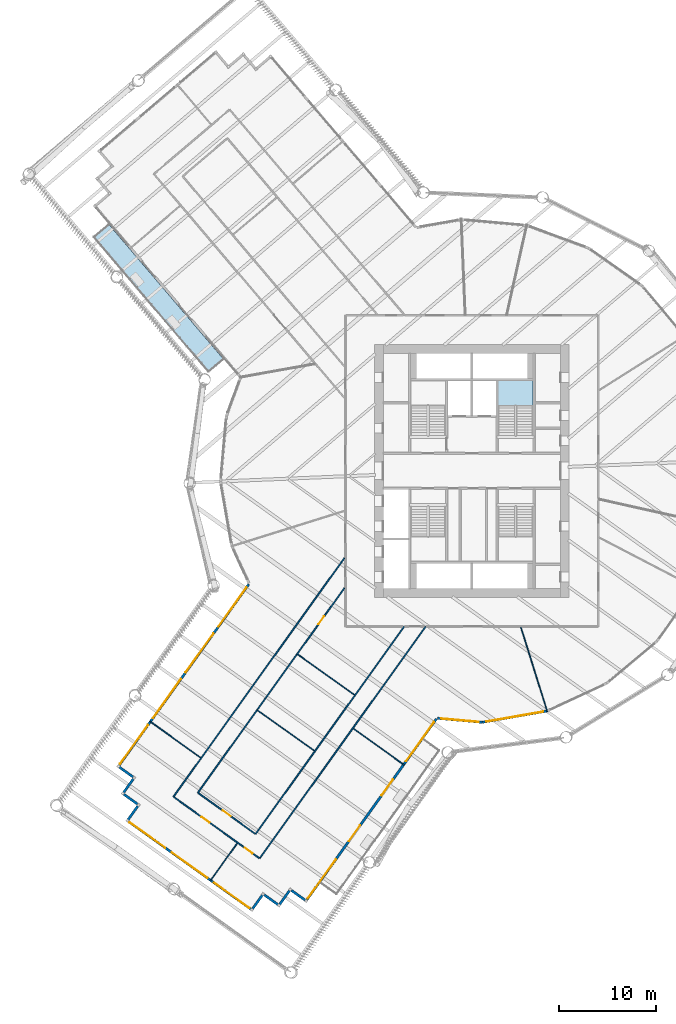
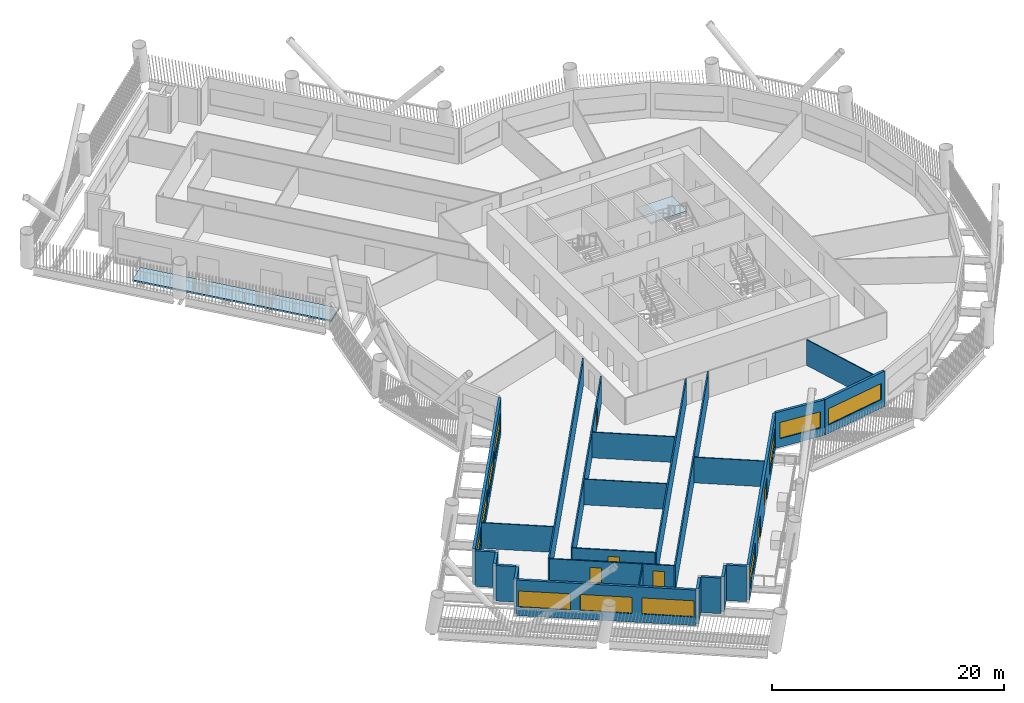
# One storey, part 3 of 21: 25 walls, 11 windows, 6 doors, 2 slabs, 17 openings, 1 element without a shape of its own.
"""IFC4 building model written with IfcOpenShell, lengths in metres."""

from ifc_helpers import new_model, si_unit, direction, frame, frame_2d, origin, place, context, subcontext, project, spatial, polyline, rectangle, outline, extrude, material, layer, layer_set, type_object, element, fill, aggregate, save


model = new_model("IFC4")

# Units and contexts
model_context = context("Model", 3, precision=1e-05, world=origin(), true_north=direction((0.0, 1.0)))
body_context = subcontext(model_context, "Body", "Model", "MODEL_VIEW")
ifc_project = project(units=[si_unit("LENGTHUNIT", "METRE"), si_unit("AREAUNIT", "SQUARE_METRE"), si_unit("VOLUMEUNIT", "CUBIC_METRE"), si_unit("PLANEANGLEUNIT", "RADIAN"), si_unit("MASSUNIT", "GRAM", prefix="KILO")], contexts=[model_context])

# Site, building, storey
site_placement = place(None, origin())
site = spatial("IfcSite", under=ifc_project, at=site_placement, CompositionType="ELEMENT")
building_placement = place(site_placement, origin())
building = spatial("IfcBuilding", under=site, at=building_placement, Name="Tarsis Ring Headquarters", CompositionType="ELEMENT")
storey_placement = place(building_placement, frame((0.0, 0.0, 47.800048828125)))
storey = spatial("IfcBuildingStorey", under=building, at=storey_placement, Name="L09", CompositionType="ELEMENT", Elevation=47.800048828125)

# Slab
ifc_material_1 = material(Name="Concrete C40/50", Category="concrete")
ifc_layer_1 = layer(ifc_material_1, 0.159912109375)
ifc_layer_set_1 = layer_set([ifc_layer_1], Name="Balcony slab concrete C40/50")
slab_type_1 = type_object("IfcSlabType", Name="Balcony slab concrete C40/50", PredefinedType="FLOOR", material=ifc_layer_set_1)
slab_1_placement = place(storey_placement, frame((0.0, 0.0, -0.16015625)))
element("IfcSlab", 1, at=slab_1_placement, inside=storey, type_object=slab_type_1, Name="Balcony slab L09-01", PredefinedType="FLOOR", context=body_context, shape_type="SweptSolid", body=[
    extrude(outline(polyline([(-37.331787109375, 25.349365234375), (-38.854736328125, 24.05322265625), (-27.0771484375, 10.214599609375), (-25.553955078125, 11.5107421875), (-37.331787109375, 25.349365234375)])), origin(), (0.0, 0.0, 1.0), 0.16015625),
])

# Stair, slab
ifc_material_2 = material(Name="Core stair 1760")
stair_type = type_object("IfcStairType", Name="Core stair 1760", PredefinedType="HALF_TURN_STAIR", material=ifc_material_2)
stair_placement = place(storey_placement, origin())
stair = element("IfcStair", 2, at=stair_placement, inside=storey, type_object=stair_type, Name="L09 Exit stair B", PredefinedType="HALF_TURN_STAIR")
ifc_layer_2 = layer(ifc_material_1, 0.199951171875)
ifc_layer_set_2 = layer_set([ifc_layer_2], Name="Core stair landing 200")
slab_type_2 = type_object("IfcSlabType", Name="Core stair landing 200", PredefinedType="LANDING", material=ifc_layer_set_2)
slab_2_placement = place(storey_placement, frame((0.0, 0.0, 1.75)))
slab_2 = element("IfcSlab", 3, at=slab_2_placement, type_object=slab_type_2, Name="Stair ST2 landing 1", PredefinedType="LANDING", context=body_context, shape_type="SweptSolid", body=[
    extrude(outline(polyline([(6.300048828125, 6.739990234375), (6.300048828125, 9.300048828125), (2.699951171875, 9.300048828125), (2.699951171875, 6.739990234375), (6.300048828125, 6.739990234375)])), origin(), (0.0, 0.0, 1.0), 0.199951171875),
])
aggregate(stair, [slab_2])

# Walls
ifc_material_3 = material(Name="Gypsum board on steel studs", Category="steel")
ifc_layer_3 = layer(ifc_material_3, 0.10009765625)
ifc_layer_set_3 = layer_set([ifc_layer_3], Name="FL partition 100 unrated")
wall_type_1 = type_object("IfcWallType", Name="FL partition 100 unrated", PredefinedType="PARTITIONING", material=ifc_layer_set_3)
wall_1_placement = place(storey_placement, frame((5.034912109375, -16.06689453125, 0.0), z_axis=(0.0, 0.0, 1.0), x_axis=(0.29906069932, -0.954234089793, 0.0)))
element("IfcWall", 4, at=wall_1_placement, inside=storey, type_object=wall_type_1, Name="Partition PW3", PredefinedType="PARTITIONING", context=body_context, shape_type="SweptSolid", body=[
    extrude(rectangle(XDim=9.110595703125, YDim=0.10009765625, at=frame_2d((4.55517578125, 0.0))), origin(), (0.0, 0.0, 1.0), 2.699951171875),
])
for number, where, z_axis, x_axis, name in (
    (5, (-22.02783203125, -24.6181640625, 0.0), (0.0, 0.0, 1.0), (0.813101716862, -0.582121635086, 0.0), "Partition PW3"),
    (6, (-17.906494140625, -18.861572265625, 0.0), (0.0, 0.0, 1.0), (0.813101716862, -0.582121635086, 0.0), "Partition PW3"),
):
    element("IfcWall", number, at=place(storey_placement, frame(where, z_axis=z_axis, x_axis=x_axis)), inside=storey, type_object=wall_type_1, Name=name, PredefinedType="PARTITIONING", context=body_context, shape_type="SweptSolid", body=[
        extrude(rectangle(XDim=7.159912109375, YDim=0.10009765625, at=frame_2d((3.580078125, 0.0))), origin(), (0.0, 0.0, 1.0), 2.699951171875),
    ])
for number, where, z_axis, x_axis, name in (
    (7, (-12.18359375, -26.50048828125, 0.0), (0.0, 0.0, 1.0), (0.81309418639, -0.582132153431, 0.0), "Partition PW3"),
    (8, (-33.123779296875, -25.73828125, 0.0), (0.0, 0.0, 1.0), (0.81309418639, -0.582132153431, 0.0), "Partition PW3"),
):
    element("IfcWall", number, at=place(storey_placement, frame(where, z_axis=z_axis, x_axis=x_axis)), inside=storey, type_object=wall_type_1, Name=name, PredefinedType="PARTITIONING", context=body_context, shape_type="SweptSolid", body=[
        extrude(rectangle(XDim=6.43017578125, YDim=0.10009765625, at=frame_2d((3.215087890625, 0.0))), origin(), (0.0, 0.0, 1.0), 2.699951171875),
    ])
wall_2_placement = place(storey_placement, frame((-26.906005859375, -42.168701171875, 0.0), z_axis=(0.0, 0.0, 1.0), x_axis=(0.582114207589, 0.813107034358, 0.0)))
element("IfcWall", 9, at=wall_2_placement, inside=storey, type_object=wall_type_1, Name="Partition PW3", PredefinedType="PARTITIONING", context=body_context, shape_type="SweptSolid", body=[
    extrude(rectangle(XDim=4.769775390625, YDim=0.10009765625, at=frame_2d((2.384765625, 0.0))), origin(), (0.0, 0.0, 1.0), 2.699951171875),
])
ifc_layer_4 = layer(ifc_material_3, 0.125)
ifc_layer_set_4 = layer_set([ifc_layer_4], Name="FL partition 125 EI 60 H2770")
wall_type_2 = type_object("IfcWallType", Name="FL partition 125 EI 60 H2770", PredefinedType="PARTITIONING", material=ifc_layer_set_4)
wall_3_placement = place(storey_placement, frame((-30.69091796875, -33.50634765625, 0.0), z_axis=(0.0, 0.0, 1.0), x_axis=(0.582125379079, 0.813099036423, 0.0)))
element("IfcWall", 10, at=wall_3_placement, inside=storey, type_object=wall_type_2, Name="Partition PW1", PredefinedType="PARTITIONING", context=body_context, shape_type="SweptSolid", body=[
    extrude(rectangle(XDim=30.210205078125, YDim=0.125, at=frame_2d((15.10498046875, 0.0))), origin(), (0.0, 0.0, 1.0), 2.77001953125),
])
wall_4_placement = place(storey_placement, frame((-21.828125, -39.8515625, 0.0), z_axis=(0.0, 0.0, 1.0), x_axis=(0.582120404262, 0.813102598041, 0.0)))
element("IfcWall", 11, at=wall_4_placement, inside=storey, type_object=wall_type_2, Name="Partition PW1", PredefinedType="PARTITIONING", context=body_context, shape_type="SweptSolid", body=[
    extrude(rectangle(XDim=29.333984375, YDim=0.125, at=frame_2d((14.6669921875, 0.0))), origin(), (0.0, 0.0, 1.0), 2.77001953125),
])
wall_5_placement = place(storey_placement, frame((-22.243896484375, -37.340087890625, 0.0), z_axis=(0.0, 0.0, 1.0), x_axis=(0.582124829508, 0.81309942988, 0.0)))
element("IfcWall", 12, at=wall_5_placement, inside=storey, type_object=wall_type_2, Name="Partition PW1", PredefinedType="PARTITIONING", context=body_context, shape_type="SweptSolid", body=[
    extrude(rectangle(XDim=26.245361328125, YDim=0.125, at=frame_2d((13.12255859375, 0.0))), origin(), (0.0, 0.0, 1.0), 2.77001953125),
])

# Wall, opening, door
wall_6_placement = place(storey_placement, frame((-28.1796875, -33.090576171875, 0.0), z_axis=(0.0, 0.0, 1.0), x_axis=(0.582128757752, 0.813096617505, 0.0)))
wall_6 = element("IfcWall", 13, at=wall_6_placement, inside=storey, type_object=wall_type_2, Name="Partition PW1", PredefinedType="PARTITIONING", context=body_context, shape_type="SweptSolid", body=[
    extrude(rectangle(XDim=25.896240234375, YDim=0.125, at=frame_2d((12.9482421875, 0.0))), origin(), (0.0, 0.0, 1.0), 2.77001953125),
])
opening_1_placement = place(wall_6_placement, frame((21.314208984375, 0.0, 0.0)))
opening_1 = element("IfcOpeningElement", 14, at=opening_1_placement, cuts=wall_6, Name="Opening D09.17", PredefinedType="OPENING", context=body_context, shape_type="SweptSolid", body=[
    extrude(rectangle(XDim=1.0, YDim=2.10009765625, at=frame_2d((0.5, 1.050048828125))), frame((0.0, 0.072509765625, 0.0), z_axis=(0.0, -1.0, 0.0), x_axis=(1.0, 0.0, 0.0)), (0.0, 0.0, 1.0), 0.14501953125),
])
ifc_material_4 = material(Name="Fire-rated timber door leaf in steel frame", Category="steel")
door_type_1 = type_object("IfcDoorType", Name="FL door FD60-1000", OperationType="NOTDEFINED", PredefinedType="DOOR", material=ifc_material_4)
door_1_placement = place(opening_1_placement, origin())
door_1 = element("IfcDoor", 15, at=door_1_placement, inside=storey, type_object=door_type_1, Name="Door D09.17", OperationType="SINGLE_SWING_RIGHT", OverallHeight=2.10009765625, OverallWidth=1.0, PredefinedType="DOOR", context=body_context, shape_type="SweptSolid", body=[
    extrude(rectangle(XDim=1.0, YDim=2.10009765625, at=frame_2d((0.5, 1.050048828125))), frame((0.0, 0.02490234375, 0.0), z_axis=(0.0, -1.0, 0.0), x_axis=(1.0, 0.0, 0.0)), (0.0, 0.0, 1.0), 0.050048828125),
])
fill(opening_1, door_1)

# Wall, openings, doors
wall_7_placement = place(storey_placement, frame((-30.64208984375, -33.541259765625, 0.0), z_axis=(0.0, 0.0, 1.0), x_axis=(0.81309333742, -0.58213333923, 0.0)))
wall_7 = element("IfcWall", 16, at=wall_7_placement, inside=storey, type_object=wall_type_2, Name="Partition PW1", PredefinedType="PARTITIONING", context=body_context, shape_type="SweptSolid", body=[
    extrude(rectangle(XDim=10.780029296875, YDim=0.125, at=frame_2d((5.39013671875, 0.0))), origin(), (0.0, 0.0, 1.0), 2.77001953125),
])
opening_2_placement = place(wall_7_placement, frame((8.9482421875, 0.0, 0.0)))
opening_2 = element("IfcOpeningElement", 17, at=opening_2_placement, cuts=wall_7, Name="Opening D09.10", PredefinedType="OPENING", context=body_context, shape_type="SweptSolid", body=[
    extrude(rectangle(XDim=1.0, YDim=2.10009765625, at=frame_2d((0.5, 1.050048828125))), frame((0.0, 0.072509765625, 0.0), z_axis=(0.0, -1.0, 0.0), x_axis=(1.0, 0.0, 0.0)), (0.0, 0.0, 1.0), 0.14501953125),
])
opening_3_placement = place(wall_7_placement, frame((3.498291015625, 0.0, 0.0)))
opening_3 = element("IfcOpeningElement", 18, at=opening_3_placement, cuts=wall_7, Name="Opening D09.11", PredefinedType="OPENING", context=body_context, shape_type="SweptSolid", body=[
    extrude(rectangle(XDim=1.0, YDim=2.10009765625, at=frame_2d((0.5, 1.050048828125))), frame((0.0, 0.072509765625, 0.0), z_axis=(0.0, -1.0, 0.0), x_axis=(1.0, 0.0, 0.0)), (0.0, 0.0, 1.0), 0.14501953125),
])
door_2_placement = place(opening_2_placement, origin())
door_2 = element("IfcDoor", 19, at=door_2_placement, inside=storey, type_object=door_type_1, Name="Door D09.10", OperationType="SINGLE_SWING_LEFT", OverallHeight=2.10009765625, OverallWidth=1.0, PredefinedType="DOOR", context=body_context, shape_type="SweptSolid", body=[
    extrude(rectangle(XDim=1.0, YDim=2.10009765625, at=frame_2d((0.5, 1.050048828125))), frame((0.0, 0.02490234375, 0.0), z_axis=(0.0, -1.0, 0.0), x_axis=(1.0, 0.0, 0.0)), (0.0, 0.0, 1.0), 0.050048828125),
])
fill(opening_2, door_2)
door_3_placement = place(opening_3_placement, origin())
door_3 = element("IfcDoor", 20, at=door_3_placement, inside=storey, type_object=door_type_1, Name="Door D09.11", OperationType="SINGLE_SWING_RIGHT", OverallHeight=2.10009765625, OverallWidth=1.0, PredefinedType="DOOR", context=body_context, shape_type="SweptSolid", body=[
    extrude(rectangle(XDim=1.0, YDim=2.10009765625, at=frame_2d((0.5, 1.050048828125))), frame((0.0, 0.02490234375, 0.0), z_axis=(0.0, -1.0, 0.0), x_axis=(1.0, 0.0, 0.0)), (0.0, 0.0, 1.0), 0.050048828125),
])
fill(opening_3, door_3)

# Wall, opening, door
wall_8_placement = place(storey_placement, frame((-28.130859375, -33.12548828125, 0.0), z_axis=(0.0, 0.0, 1.0), x_axis=(0.813101187723, -0.582122374182, 0.0)))
wall_8 = element("IfcWall", 21, at=wall_8_placement, inside=storey, type_object=wall_type_2, Name="Partition PW1", PredefinedType="PARTITIONING", context=body_context, shape_type="SweptSolid", body=[
    extrude(rectangle(XDim=7.18017578125, YDim=0.125, at=frame_2d((3.590087890625, 0.0))), origin(), (0.0, 0.0, 1.0), 2.77001953125),
])
opening_4_placement = place(wall_8_placement, frame((3.090087890625, 0.0, 0.0)))
opening_4 = element("IfcOpeningElement", 22, at=opening_4_placement, cuts=wall_8, Name="Opening D09.18", PredefinedType="OPENING", context=body_context, shape_type="SweptSolid", body=[
    extrude(rectangle(XDim=1.0, YDim=2.10009765625, at=frame_2d((0.5, 1.050048828125))), frame((0.0, 0.072509765625, 0.0), z_axis=(0.0, -1.0, 0.0), x_axis=(1.0, 0.0, 0.0)), (0.0, 0.0, 1.0), 0.14501953125),
])
door_4_placement = place(opening_4_placement, origin())
door_4 = element("IfcDoor", 23, at=door_4_placement, inside=storey, type_object=door_type_1, Name="Door D09.18", OperationType="SINGLE_SWING_LEFT", OverallHeight=2.10009765625, OverallWidth=1.0, PredefinedType="DOOR", context=body_context, shape_type="SweptSolid", body=[
    extrude(rectangle(XDim=1.0, YDim=2.10009765625, at=frame_2d((0.5, 1.050048828125))), frame((0.0, 0.02490234375, 0.0), z_axis=(0.0, -1.0, 0.0), x_axis=(1.0, 0.0, 0.0)), (0.0, 0.0, 1.0), 0.050048828125),
])
fill(opening_4, door_4)

# Wall, openings, windows
ifc_material_5 = material(Name="Terracotta clad insulated panel wall", Category="masonry")
ifc_layer_5 = layer(ifc_material_5, 0.25)
ifc_layer_set_5 = layer_set([ifc_layer_5], Name="Facade wall terracotta panel 250")
wall_type_3 = type_object("IfcWallType", Name="Facade wall terracotta panel 250", PredefinedType="STANDARD", material=ifc_layer_set_5)
wall_9_placement = place(storey_placement, frame((-22.9443359375, -11.648681640625, 0.0), z_axis=(0.0, 0.0, 1.0), x_axis=(-0.582117421744, -0.813104733292, 0.0)))
wall_9 = element("IfcWall", 24, at=wall_9_placement, inside=storey, type_object=wall_type_3, Name="External wall L09-06", PredefinedType="STANDARD", context=body_context, shape_type="SweptSolid", body=[
    extrude(rectangle(XDim=22.921875, YDim=0.25, at=frame_2d((11.4609375, 0.0))), origin(), (0.0, 0.0, 1.0), 3.739990234375),
])
opening_5_placement = place(wall_9_placement, frame((0.42138671875, 0.0, 0.89990234375)))
opening_5 = element("IfcOpeningElement", 25, at=opening_5_placement, cuts=wall_9, Name="Opening WN05", PredefinedType="OPENING", context=body_context, shape_type="SweptSolid", body=[
    extrude(rectangle(XDim=4.949951171875, YDim=1.699951171875, at=frame_2d((2.47509765625, 0.85009765625))), frame((0.0, 0.135009765625, 0.0), z_axis=(0.0, -1.0, 0.0), x_axis=(1.0, 0.0, 0.0)), (0.0, 0.0, 1.0), 0.27001953125),
])
opening_6_placement = place(wall_9_placement, frame((6.214599609375, 0.0, 0.89990234375)))
opening_6 = element("IfcOpeningElement", 26, at=opening_6_placement, cuts=wall_9, Name="Opening WN05", PredefinedType="OPENING", context=body_context, shape_type="SweptSolid", body=[
    extrude(rectangle(XDim=4.949951171875, YDim=1.699951171875, at=frame_2d((2.47509765625, 0.85009765625))), frame((0.0, 0.135009765625, 0.0), z_axis=(0.0, -1.0, 0.0), x_axis=(1.0, 0.0, 0.0)), (0.0, 0.0, 1.0), 0.27001953125),
])
opening_7_placement = place(wall_9_placement, frame((12.007568359375, 0.0, 0.89990234375)))
opening_7 = element("IfcOpeningElement", 27, at=opening_7_placement, cuts=wall_9, Name="Opening WN05", PredefinedType="OPENING", context=body_context, shape_type="SweptSolid", body=[
    extrude(rectangle(XDim=4.949951171875, YDim=1.699951171875, at=frame_2d((2.47509765625, 0.85009765625))), frame((0.0, 0.135009765625, 0.0), z_axis=(0.0, -1.0, 0.0), x_axis=(1.0, 0.0, 0.0)), (0.0, 0.0, 1.0), 0.27001953125),
])
opening_8_placement = place(wall_9_placement, frame((17.800537109375, 0.0, 0.89990234375)))
opening_8 = element("IfcOpeningElement", 28, at=opening_8_placement, cuts=wall_9, Name="Opening WN05", PredefinedType="OPENING", context=body_context, shape_type="SweptSolid", body=[
    extrude(rectangle(XDim=4.949951171875, YDim=1.699951171875, at=frame_2d((2.47509765625, 0.85009765625))), frame((0.0, 0.135009765625, 0.0), z_axis=(0.0, -1.0, 0.0), x_axis=(1.0, 0.0, 0.0)), (0.0, 0.0, 1.0), 0.27001953125),
])
ifc_material_6 = material(Name="Aluminium framed double glazing", Category="aluminium")
window_type_1 = type_object("IfcWindowType", Name="Facade window 4950 x 1700", PartitioningType="SINGLE_PANEL", PredefinedType="WINDOW", material=ifc_material_6)
window_1_placement = place(opening_5_placement, origin())
window_1 = element("IfcWindow", 29, at=window_1_placement, inside=storey, type_object=window_type_1, Name="Window L09-06.1", OverallHeight=1.699951171875, OverallWidth=4.949951171875, PartitioningType="SINGLE_PANEL", PredefinedType="WINDOW", context=body_context, shape_type="SweptSolid", body=[
    extrude(rectangle(XDim=4.949951171875, YDim=1.699951171875, at=frame_2d((2.47509765625, 0.85009765625))), frame((0.0, 0.030029296875, 0.0), z_axis=(0.0, -1.0, 0.0), x_axis=(1.0, 0.0, 0.0)), (0.0, 0.0, 1.0), 0.06005859375),
])
fill(opening_5, window_1)
window_2_placement = place(opening_6_placement, origin())
window_2 = element("IfcWindow", 30, at=window_2_placement, inside=storey, type_object=window_type_1, Name="Window L09-06.2", OverallHeight=1.699951171875, OverallWidth=4.949951171875, PartitioningType="SINGLE_PANEL", PredefinedType="WINDOW", context=body_context, shape_type="SweptSolid", body=[
    extrude(rectangle(XDim=4.949951171875, YDim=1.699951171875, at=frame_2d((2.47509765625, 0.85009765625))), frame((0.0, 0.030029296875, 0.0), z_axis=(0.0, -1.0, 0.0), x_axis=(1.0, 0.0, 0.0)), (0.0, 0.0, 1.0), 0.06005859375),
])
fill(opening_6, window_2)
window_3_placement = place(opening_7_placement, origin())
window_3 = element("IfcWindow", 31, at=window_3_placement, inside=storey, type_object=window_type_1, Name="Window L09-06.3", OverallHeight=1.699951171875, OverallWidth=4.949951171875, PartitioningType="SINGLE_PANEL", PredefinedType="WINDOW", context=body_context, shape_type="SweptSolid", body=[
    extrude(rectangle(XDim=4.949951171875, YDim=1.699951171875, at=frame_2d((2.47509765625, 0.85009765625))), frame((0.0, 0.030029296875, 0.0), z_axis=(0.0, -1.0, 0.0), x_axis=(1.0, 0.0, 0.0)), (0.0, 0.0, 1.0), 0.06005859375),
])
fill(opening_7, window_3)
window_4_placement = place(opening_8_placement, origin())
window_4 = element("IfcWindow", 32, at=window_4_placement, inside=storey, type_object=window_type_1, Name="Window L09-06.4", OverallHeight=1.699951171875, OverallWidth=4.949951171875, PartitioningType="SINGLE_PANEL", PredefinedType="WINDOW", context=body_context, shape_type="SweptSolid", body=[
    extrude(rectangle(XDim=4.949951171875, YDim=1.699951171875, at=frame_2d((2.47509765625, 0.85009765625))), frame((0.0, 0.030029296875, 0.0), z_axis=(0.0, -1.0, 0.0), x_axis=(1.0, 0.0, 0.0)), (0.0, 0.0, 1.0), 0.06005859375),
])
fill(opening_8, window_4)

# Walls
for number, where, z_axis, x_axis, name in (
    (33, (-36.2587890625, -30.4609375, 0.0), (0.0, 0.0, 1.0), (0.813063661325, -0.582174787012, 0.0), "External wall L09-07"),
    (34, (-34.80712890625, -31.654052734375, 0.0), (0.0, 0.0, 1.0), (-0.582016518595, -0.813176962341, 0.0), "External wall L09-08"),
    (35, (-35.796875, -33.25146484375, 0.0), (0.0, 0.0, 1.0), (0.813063661325, -0.582174787012, 0.0), "External wall L09-09"),
    (36, (-34.344970703125, -34.444580078125, 0.0), (0.0, 0.0, 1.0), (-0.582174787012, -0.813063661325, 0.0), "External wall L09-10"),
):
    element("IfcWall", number, at=place(storey_placement, frame(where, z_axis=z_axis, x_axis=x_axis)), inside=storey, type_object=wall_type_3, Name=name, PredefinedType="STANDARD", context=body_context, shape_type="SweptSolid", body=[
        extrude(rectangle(XDim=1.75, YDim=0.25, at=frame_2d((0.875, 0.0))), origin(), (0.0, 0.0, 1.0), 3.739990234375),
    ])

# Wall, openings, windows
wall_10_placement = place(storey_placement, frame((-35.3349609375, -36.0419921875, 0.0), z_axis=(0.0, 0.0, 1.0), x_axis=(0.813098689197, -0.582125864076, 0.0)))
wall_10 = element("IfcWall", 37, at=wall_10_placement, inside=storey, type_object=wall_type_3, Name="External wall L09-11", PredefinedType="STANDARD", context=body_context, shape_type="SweptSolid", body=[
    extrude(rectangle(XDim=15.5, YDim=0.25, at=frame_2d((7.75, 0.0))), origin(), (0.0, 0.0, 1.0), 3.739990234375),
])
opening_9_placement = place(wall_10_placement, frame((0.166748046875, 0.0, 0.89990234375)))
opening_9 = element("IfcOpeningElement", 38, at=opening_9_placement, cuts=wall_10, Name="Opening WN04", PredefinedType="OPENING", context=body_context, shape_type="SweptSolid", body=[
    extrude(rectangle(XDim=4.5, YDim=1.699951171875, at=frame_2d((2.25, 0.85009765625))), frame((0.0, 0.135009765625, 0.0), z_axis=(0.0, -1.0, 0.0), x_axis=(1.0, 0.0, 0.0)), (0.0, 0.0, 1.0), 0.27001953125),
])
opening_10_placement = place(wall_10_placement, frame((5.5, 0.0, 0.89990234375)))
opening_10 = element("IfcOpeningElement", 39, at=opening_10_placement, cuts=wall_10, Name="Opening WN04", PredefinedType="OPENING", context=body_context, shape_type="SweptSolid", body=[
    extrude(rectangle(XDim=4.5, YDim=1.699951171875, at=frame_2d((2.25, 0.85009765625))), frame((0.0, 0.135009765625, 0.0), z_axis=(0.0, -1.0, 0.0), x_axis=(1.0, 0.0, 0.0)), (0.0, 0.0, 1.0), 0.27001953125),
])
opening_11_placement = place(wall_10_placement, frame((10.833251953125, 0.0, 0.89990234375)))
opening_11 = element("IfcOpeningElement", 40, at=opening_11_placement, cuts=wall_10, Name="Opening WN04", PredefinedType="OPENING", context=body_context, shape_type="SweptSolid", body=[
    extrude(rectangle(XDim=4.5, YDim=1.699951171875, at=frame_2d((2.25, 0.85009765625))), frame((0.0, 0.135009765625, 0.0), z_axis=(0.0, -1.0, 0.0), x_axis=(1.0, 0.0, 0.0)), (0.0, 0.0, 1.0), 0.27001953125),
])
window_type_2 = type_object("IfcWindowType", Name="Facade window 4500 x 1700", PartitioningType="SINGLE_PANEL", PredefinedType="WINDOW", material=ifc_material_6)
window_5_placement = place(opening_9_placement, origin())
window_5 = element("IfcWindow", 41, at=window_5_placement, inside=storey, type_object=window_type_2, Name="Window L09-11.1", OverallHeight=1.699951171875, OverallWidth=4.5, PartitioningType="SINGLE_PANEL", PredefinedType="WINDOW", context=body_context, shape_type="SweptSolid", body=[
    extrude(rectangle(XDim=4.5, YDim=1.699951171875, at=frame_2d((2.25, 0.85009765625))), frame((0.0, 0.030029296875, 0.0), z_axis=(0.0, -1.0, 0.0), x_axis=(1.0, 0.0, 0.0)), (0.0, 0.0, 1.0), 0.06005859375),
])
fill(opening_9, window_5)
window_6_placement = place(opening_10_placement, origin())
window_6 = element("IfcWindow", 42, at=window_6_placement, inside=storey, type_object=window_type_2, Name="Window L09-11.2", OverallHeight=1.699951171875, OverallWidth=4.5, PartitioningType="SINGLE_PANEL", PredefinedType="WINDOW", context=body_context, shape_type="SweptSolid", body=[
    extrude(rectangle(XDim=4.5, YDim=1.699951171875, at=frame_2d((2.25, 0.85009765625))), frame((0.0, 0.030029296875, 0.0), z_axis=(0.0, -1.0, 0.0), x_axis=(1.0, 0.0, 0.0)), (0.0, 0.0, 1.0), 0.06005859375),
])
fill(opening_10, window_6)
window_7_placement = place(opening_11_placement, origin())
window_7 = element("IfcWindow", 43, at=window_7_placement, inside=storey, type_object=window_type_2, Name="Window L09-11.3", OverallHeight=1.699951171875, OverallWidth=4.5, PartitioningType="SINGLE_PANEL", PredefinedType="WINDOW", context=body_context, shape_type="SweptSolid", body=[
    extrude(rectangle(XDim=4.5, YDim=1.699951171875, at=frame_2d((2.25, 0.85009765625))), frame((0.0, 0.030029296875, 0.0), z_axis=(0.0, -1.0, 0.0), x_axis=(1.0, 0.0, 0.0)), (0.0, 0.0, 1.0), 0.06005859375),
])
fill(opening_11, window_7)

# Walls
for number, where, z_axis, x_axis, name in (
    (44, (-22.557373046875, -45.035888671875, 0.0), (0.0, 0.0, 1.0), (0.582082549619, 0.81312969779, 0.0), "External wall L09-12"),
    (45, (-21.3642578125, -43.584228515625, 0.0), (0.0, 0.0, 1.0), (0.81312969779, -0.582082549619, 0.0), "External wall L09-13"),
):
    element("IfcWall", number, at=place(storey_placement, frame(where, z_axis=z_axis, x_axis=x_axis)), inside=storey, type_object=wall_type_3, Name=name, PredefinedType="STANDARD", context=body_context, shape_type="SweptSolid", body=[
        extrude(rectangle(XDim=1.749755859375, YDim=0.25, at=frame_2d((0.875, 0.0))), origin(), (0.0, 0.0, 1.0), 3.739990234375),
    ])
for number, where, z_axis, x_axis, name in (
    (46, (-19.76708984375, -44.573974609375, 0.0), (0.0, 0.0, 1.0), (0.582174787012, 0.813063661325, 0.0), "External wall L09-14"),
    (47, (-18.573974609375, -43.122314453125, 0.0), (0.0, 0.0, 1.0), (0.813176962341, -0.582016518595, 0.0), "External wall L09-15"),
):
    element("IfcWall", number, at=place(storey_placement, frame(where, z_axis=z_axis, x_axis=x_axis)), inside=storey, type_object=wall_type_3, Name=name, PredefinedType="STANDARD", context=body_context, shape_type="SweptSolid", body=[
        extrude(rectangle(XDim=1.75, YDim=0.25, at=frame_2d((0.875, 0.0))), origin(), (0.0, 0.0, 1.0), 3.739990234375),
    ])

# Wall, openings, doors, windows
wall_11_placement = place(storey_placement, frame((-16.9765625, -44.112060546875, 0.0), z_axis=(0.0, 0.0, 1.0), x_axis=(0.582120229965, 0.813102722825, 0.0)))
wall_11 = element("IfcWall", 48, at=wall_11_placement, inside=storey, type_object=wall_type_3, Name="External wall L09-16", PredefinedType="STANDARD", context=body_context, shape_type="SweptSolid", body=[
    extrude(rectangle(XDim=22.9013671875, YDim=0.25, at=frame_2d((11.45068359375, 0.0))), origin(), (0.0, 0.0, 1.0), 3.739990234375),
])
opening_12_placement = place(wall_11_placement, frame((0.1689453125, 0.0, 0.89990234375)))
opening_12 = element("IfcOpeningElement", 49, at=opening_12_placement, cuts=wall_11, Name="Opening WN05", PredefinedType="OPENING", context=body_context, shape_type="SweptSolid", body=[
    extrude(rectangle(XDim=4.949951171875, YDim=1.699951171875, at=frame_2d((2.47509765625, 0.85009765625))), frame((0.0, 0.135009765625, 0.0), z_axis=(0.0, -1.0, 0.0), x_axis=(1.0, 0.0, 0.0)), (0.0, 0.0, 1.0), 0.27001953125),
])
opening_13_placement = place(wall_11_placement, frame((7.431640625, 0.0, 0.0)))
opening_13 = element("IfcOpeningElement", 50, at=opening_13_placement, cuts=wall_11, Name="Opening L09-BD03", PredefinedType="OPENING", context=body_context, shape_type="SweptSolid", body=[
    extrude(rectangle(XDim=2.0, YDim=2.39990234375, at=frame_2d((1.0, 1.199951171875))), frame((0.0, 0.135009765625, 0.0), z_axis=(0.0, -1.0, 0.0), x_axis=(1.0, 0.0, 0.0)), (0.0, 0.0, 1.0), 0.27001953125),
])
opening_14_placement = place(wall_11_placement, frame((13.219482421875, 0.0, 0.0)))
opening_14 = element("IfcOpeningElement", 51, at=opening_14_placement, cuts=wall_11, Name="Opening L09-BD04", PredefinedType="OPENING", context=body_context, shape_type="SweptSolid", body=[
    extrude(rectangle(XDim=2.0, YDim=2.39990234375, at=frame_2d((1.0, 1.199951171875))), frame((0.0, 0.135009765625, 0.0), z_axis=(0.0, -1.0, 0.0), x_axis=(1.0, 0.0, 0.0)), (0.0, 0.0, 1.0), 0.27001953125),
])
opening_15_placement = place(wall_11_placement, frame((17.532470703125, 0.0, 0.89990234375)))
opening_15 = element("IfcOpeningElement", 52, at=opening_15_placement, cuts=wall_11, Name="Opening WN05", PredefinedType="OPENING", context=body_context, shape_type="SweptSolid", body=[
    extrude(rectangle(XDim=4.949951171875, YDim=1.699951171875, at=frame_2d((2.47509765625, 0.85009765625))), frame((0.0, 0.135009765625, 0.0), z_axis=(0.0, -1.0, 0.0), x_axis=(1.0, 0.0, 0.0)), (0.0, 0.0, 1.0), 0.27001953125),
])
door_type_2 = type_object("IfcDoorType", Name="Balcony sliding door 2000 x 2400", OperationType="SLIDING_TO_LEFT", PredefinedType="DOOR", material=ifc_material_6)
door_5_placement = place(opening_13_placement, origin())
door_5 = element("IfcDoor", 53, at=door_5_placement, inside=storey, type_object=door_type_2, Name="Door L09-BD03", OperationType="SINGLE_SWING_LEFT", OverallHeight=2.39990234375, OverallWidth=2.0, PredefinedType="DOOR", context=body_context, shape_type="SweptSolid", body=[
    extrude(rectangle(XDim=2.0, YDim=2.39990234375, at=frame_2d((1.0, 1.199951171875))), frame((0.0, 0.02490234375, 0.0), z_axis=(0.0, -1.0, 0.0), x_axis=(1.0, 0.0, 0.0)), (0.0, 0.0, 1.0), 0.050048828125),
])
fill(opening_13, door_5)
door_6_placement = place(opening_14_placement, origin())
door_6 = element("IfcDoor", 54, at=door_6_placement, inside=storey, type_object=door_type_2, Name="Door L09-BD04", OperationType="SINGLE_SWING_LEFT", OverallHeight=2.39990234375, OverallWidth=2.0, PredefinedType="DOOR", context=body_context, shape_type="SweptSolid", body=[
    extrude(rectangle(XDim=2.0, YDim=2.39990234375, at=frame_2d((1.0, 1.199951171875))), frame((0.0, 0.02490234375, 0.0), z_axis=(0.0, -1.0, 0.0), x_axis=(1.0, 0.0, 0.0)), (0.0, 0.0, 1.0), 0.050048828125),
])
fill(opening_14, door_6)
window_8_placement = place(opening_12_placement, origin())
window_8 = element("IfcWindow", 55, at=window_8_placement, inside=storey, type_object=window_type_1, Name="Window L09-16.1", OverallHeight=1.699951171875, OverallWidth=4.949951171875, PartitioningType="SINGLE_PANEL", PredefinedType="WINDOW", context=body_context, shape_type="SweptSolid", body=[
    extrude(rectangle(XDim=4.949951171875, YDim=1.699951171875, at=frame_2d((2.47509765625, 0.85009765625))), frame((0.0, 0.030029296875, 0.0), z_axis=(0.0, -1.0, 0.0), x_axis=(1.0, 0.0, 0.0)), (0.0, 0.0, 1.0), 0.06005859375),
])
fill(opening_12, window_8)
window_9_placement = place(opening_15_placement, origin())
window_9 = element("IfcWindow", 56, at=window_9_placement, inside=storey, type_object=window_type_1, Name="Window L09-16.4", OverallHeight=1.699951171875, OverallWidth=4.949951171875, PartitioningType="SINGLE_PANEL", PredefinedType="WINDOW", context=body_context, shape_type="SweptSolid", body=[
    extrude(rectangle(XDim=4.949951171875, YDim=1.699951171875, at=frame_2d((2.47509765625, 0.85009765625))), frame((0.0, 0.030029296875, 0.0), z_axis=(0.0, -1.0, 0.0), x_axis=(1.0, 0.0, 0.0)), (0.0, 0.0, 1.0), 0.06005859375),
])
fill(opening_15, window_9)

# Wall, opening, window
wall_12_placement = place(storey_placement, frame((-3.532470703125, -25.439208984375, 0.0), z_axis=(0.0, 0.0, 1.0), x_axis=(0.996038374293, -0.088924445093, 0.0)))
wall_12 = element("IfcWall", 57, at=wall_12_placement, inside=storey, type_object=wall_type_3, Name="External wall L09-17", PredefinedType="STANDARD", context=body_context, shape_type="SweptSolid", body=[
    extrude(rectangle(XDim=4.617919921875, YDim=0.25, at=frame_2d((2.30908203125, 0.0))), origin(), (0.0, 0.0, 1.0), 3.739990234375),
])
opening_16_placement = place(wall_12_placement, frame((0.400390625, 0.0, 0.89990234375)))
opening_16 = element("IfcOpeningElement", 58, at=opening_16_placement, cuts=wall_12, Name="Opening WN02", PredefinedType="OPENING", context=body_context, shape_type="SweptSolid", body=[
    extrude(rectangle(XDim=3.85009765625, YDim=1.699951171875, at=frame_2d((1.925048828125, 0.85009765625))), frame((0.0, 0.135009765625, 0.0), z_axis=(0.0, -1.0, 0.0), x_axis=(1.0, 0.0, 0.0)), (0.0, 0.0, 1.0), 0.27001953125),
])
window_type_3 = type_object("IfcWindowType", Name="Facade window 3850 x 1700", PartitioningType="SINGLE_PANEL", PredefinedType="WINDOW", material=ifc_material_6)
window_10_placement = place(opening_16_placement, origin())
window_10 = element("IfcWindow", 59, at=window_10_placement, inside=storey, type_object=window_type_3, Name="Window L09-17.1", OverallHeight=1.699951171875, OverallWidth=3.85009765625, PartitioningType="SINGLE_PANEL", PredefinedType="WINDOW", context=body_context, shape_type="SweptSolid", body=[
    extrude(rectangle(XDim=3.85009765625, YDim=1.699951171875, at=frame_2d((1.925048828125, 0.85009765625))), frame((0.0, 0.030029296875, 0.0), z_axis=(0.0, -1.0, 0.0), x_axis=(1.0, 0.0, 0.0)), (0.0, 0.0, 1.0), 0.06005859375),
])
fill(opening_16, window_10)

wall_13_placement = place(storey_placement, frame((1.099609375, -25.848388671875, 0.0), z_axis=(0.0, 0.0, 1.0), x_axis=(0.985112689484, 0.171909828159, 0.0)))
wall_13 = element("IfcWall", 60, at=wall_13_placement, inside=storey, type_object=wall_type_3, Name="External wall L09-18", PredefinedType="STANDARD", context=body_context, shape_type="SweptSolid", body=[
    extrude(rectangle(XDim=6.7216796875, YDim=0.25, at=frame_2d((3.36083984375, 0.0))), origin(), (0.0, 0.0, 1.0), 3.739990234375),
])
opening_17_placement = place(wall_13_placement, frame((0.3857421875, 0.0, 0.89990234375)))
opening_17 = element("IfcOpeningElement", 61, at=opening_17_placement, cuts=wall_13, Name="Opening WN07", PredefinedType="OPENING", context=body_context, shape_type="SweptSolid", body=[
    extrude(rectangle(XDim=5.949951171875, YDim=1.699951171875, at=frame_2d((2.97509765625, 0.85009765625))), frame((0.0, 0.135009765625, 0.0), z_axis=(0.0, -1.0, 0.0), x_axis=(1.0, 0.0, 0.0)), (0.0, 0.0, 1.0), 0.27001953125),
])
window_type_4 = type_object("IfcWindowType", Name="Facade window 5950 x 1700", PartitioningType="SINGLE_PANEL", PredefinedType="WINDOW", material=ifc_material_6)
window_11_placement = place(opening_17_placement, origin())
window_11 = element("IfcWindow", 62, at=window_11_placement, inside=storey, type_object=window_type_4, Name="Window L09-18.1", OverallHeight=1.699951171875, OverallWidth=5.949951171875, PartitioningType="SINGLE_PANEL", PredefinedType="WINDOW", context=body_context, shape_type="SweptSolid", body=[
    extrude(rectangle(XDim=5.949951171875, YDim=1.699951171875, at=frame_2d((2.97509765625, 0.85009765625))), frame((0.0, 0.030029296875, 0.0), z_axis=(0.0, -1.0, 0.0), x_axis=(1.0, 0.0, 0.0)), (0.0, 0.0, 1.0), 0.06005859375),
])
fill(opening_17, window_11)

save(model, "model.ifc")
